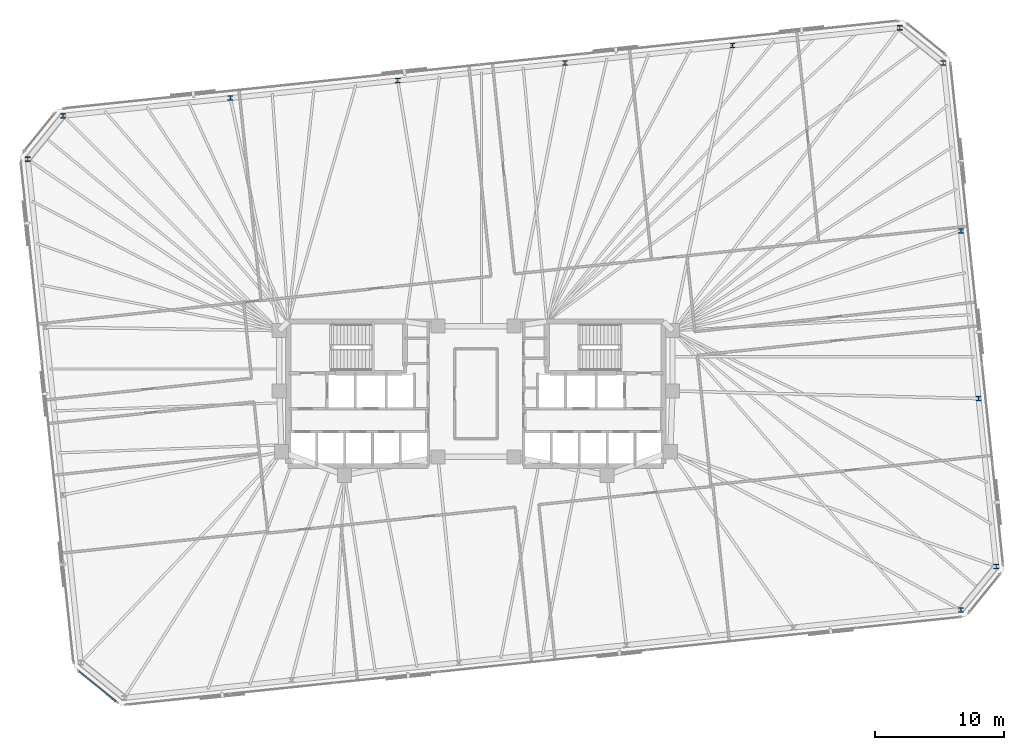
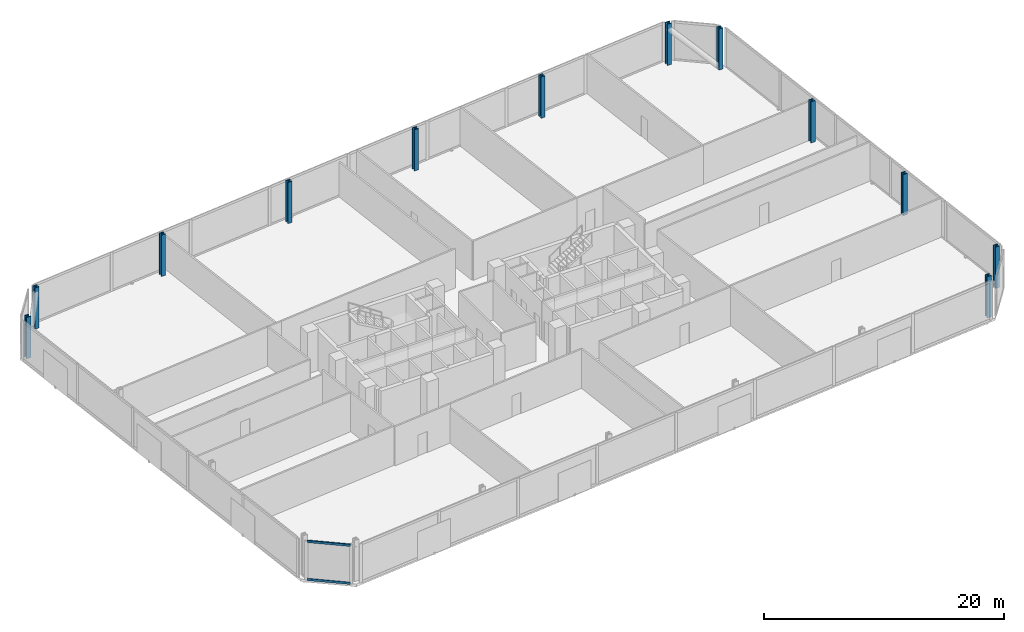
# One storey, part 5 of 16: 12 columns, 2 members, 1 element without a shape of its own.
"""IFC4 building model written with IfcOpenShell, lengths in metres."""

from ifc_helpers import new_model, si_unit, direction, frame, origin, origin_2d, place, context, subcontext, project, spatial, rectangle, i_section, extrude, material, material_profile, profile_set, type_object, element, aggregate, save


model = new_model("IFC4")

# Units and contexts
model_context = context("Model", 3, precision=1e-05, world=origin(), true_north=direction((0.0, 1.0)))
body_context = subcontext(model_context, "Body", "Model", "MODEL_VIEW")
ifc_project = project(units=[si_unit("LENGTHUNIT", "METRE"), si_unit("AREAUNIT", "SQUARE_METRE"), si_unit("VOLUMEUNIT", "CUBIC_METRE"), si_unit("PLANEANGLEUNIT", "RADIAN"), si_unit("MASSUNIT", "GRAM", prefix="KILO")], contexts=[model_context])

# Site, building, storey
site_placement = place(None, origin())
site = spatial("IfcSite", under=ifc_project, at=site_placement, CompositionType="ELEMENT")
building_placement = place(site_placement, origin())
building = spatial("IfcBuilding", under=site, at=building_placement, Name="Menara Jurai Vektor", CompositionType="ELEMENT")
storey_placement = place(building_placement, frame((0.0, 0.0, 83.199951171875)))
storey = spatial("IfcBuildingStorey", under=building, at=storey_placement, Name="L20", CompositionType="ELEMENT", Elevation=83.199951171875)

# Columns
ifc_material_1 = material(Name="Steel S460", Category="steel")
ifc_material_profile_1 = material_profile(ifc_material_1, i_section(OverallWidth=0.4130859375, OverallDepth=0.39794921875, WebThickness=0.055908203125, FlangeThickness=0.089111328125, FilletRadius=0.014892578125, at=origin_2d()), Name="HD 400x744")
ifc_profile_set_1 = profile_set([ifc_material_profile_1], Name="Steel S460")
column_type = type_object("IfcColumnType", Name="STR-EXO-BLK2", PredefinedType="COLUMN", material=ifc_profile_set_1)
for number, where, z_axis, x_axis, name in (
    (1, (37.621826171875, -16.76513671875, 0.0), (0.0, 0.0, 1.0), (1.0, 0.0, 0.0), "Exoskeleton Column BLK2-S6 L20"),
    (2, (40.356201171875, -13.388671875, 0.0), (0.0, 0.0, 1.0), (1.0, 0.0, 0.0), "Exoskeleton Column BLK2-E1 L20"),
    (3, (38.98828125, -0.375, 0.0), (0.0, 0.0, 1.0), (1.0, 0.0, 0.0), "Exoskeleton Column BLK2-E2 L20"),
    (4, (37.62060546875, 12.638427734375, 0.0), (0.0, 0.0, 1.0), (1.0, 0.0, 0.0), "Exoskeleton Column BLK2-E3 L20"),
    (5, (36.252685546875, 25.65185546875, 0.0), (0.0, 0.0, 1.0), (1.0, 0.0, 0.0), "Exoskeleton Column BLK2-E4 L20"),
    (6, (32.876220703125, 28.38623046875, 0.0), (0.0, 0.0, 1.0), (1.0, 0.0, 0.0), "Exoskeleton Column BLK2-N1 L20"),
    (7, (19.896728515625, 27.02197265625, 0.0), (0.0, 0.0, 1.0), (1.0, 0.0, 0.0), "Exoskeleton Column BLK2-N2 L20"),
    (8, (6.9169921875, 25.65771484375, 0.0), (0.0, 0.0, 1.0), (1.0, 0.0, 0.0), "Exoskeleton Column BLK2-N3 L20"),
    (9, (-6.0625, 24.29345703125, 0.0), (0.0, 0.0, 1.0), (1.0, 0.0, 0.0), "Exoskeleton Column BLK2-N4 L20"),
    (10, (-19.042236328125, 22.929443359375, 0.0), (0.0, 0.0, 1.0), (1.0, 0.0, 0.0), "Exoskeleton Column BLK2-N5 L20"),
    (11, (-32.02197265625, 21.565185546875, 0.0), (0.0, 0.0, 1.0), (1.0, 0.0, 0.0), "Exoskeleton Column BLK2-N6 L20"),
    (12, (-34.756103515625, 18.188720703125, 0.0), (0.0, 0.0, 1.0), (1.0, 0.0, 0.0), "Exoskeleton Column BLK2-W1 L20"),
):
    element("IfcColumn", number, at=place(storey_placement, frame(where, z_axis=z_axis, x_axis=x_axis)), inside=storey, type_object=column_type, Name=name, PredefinedType="COLUMN", context=body_context, shape_type="SweptSolid", body=[
        extrude(i_section(OverallWidth=0.4130859375, OverallDepth=0.39794921875, WebThickness=0.055908203125, FlangeThickness=0.089111328125, FilletRadius=0.014892578125, at=origin_2d()), origin(), (0.0, 0.0, 1.0), 4.199951171875),
    ])

# Curtain wall, members
ifc_material_2 = material(Name="Anodised Pale Aluminium & Low-E Double Glazing", Category="aluminium")
curtain_wall_type = type_object("IfcCurtainWallType", Name="CW-SKY", PredefinedType="NOTDEFINED", material=ifc_material_2)
curtain_wall_placement = place(storey_placement, origin())
curtain_wall = element("IfcCurtainWall", 13, at=curtain_wall_placement, inside=storey, type_object=curtain_wall_type, Name="Unitised Curtain Wall L20 F08", PredefinedType="NOTDEFINED")
ifc_material_3 = material(Name="Anodised Pale Aluminium Transom", Category="aluminium")
ifc_material_profile_2 = material_profile(ifc_material_3, rectangle(XDim=0.110107421875, YDim=0.219970703125, at=origin_2d()), Name="ALU TRN 110x220")
ifc_profile_set_2 = profile_set([ifc_material_profile_2], Name="Anodised Pale Aluminium Transom")
member_type = type_object("IfcMemberType", Name="CW-SKY-TRN", PredefinedType="USERDEFINED", material=ifc_profile_set_2)
member_1_placement = place(storey_placement, frame((-30.785400390625, -21.538330078125, 0.054931640625), z_axis=(0.777192438422, -0.629262992444, 0.0), x_axis=(0.629262992444, 0.777192438422, 0.0)))
member_1 = element("IfcMember", 14, at=member_1_placement, type_object=member_type, Name="CW-06 transom 1.1", ObjectType="TRANSOM", PredefinedType="USERDEFINED", context=body_context, shape_type="SweptSolid", body=[
    extrude(rectangle(XDim=0.110107421875, YDim=0.219970703125, at=origin_2d()), origin(), (0.0, 0.0, 1.0), 3.68701171875),
])
member_2_placement = place(storey_placement, frame((-30.785400390625, -21.538330078125, 3.920166015625), z_axis=(0.777192438422, -0.629262992444, 0.0), x_axis=(0.629262992444, 0.777192438422, 0.0)))
member_2 = element("IfcMember", 15, at=member_2_placement, type_object=member_type, Name="CW-06 transom 1.2", ObjectType="TRANSOM", PredefinedType="USERDEFINED", context=body_context, shape_type="SweptSolid", body=[
    extrude(rectangle(XDim=0.110107421875, YDim=0.219970703125, at=origin_2d()), origin(), (0.0, 0.0, 1.0), 3.68701171875),
])
aggregate(curtain_wall, [member_1, member_2])

save(model, "model.ifc")
